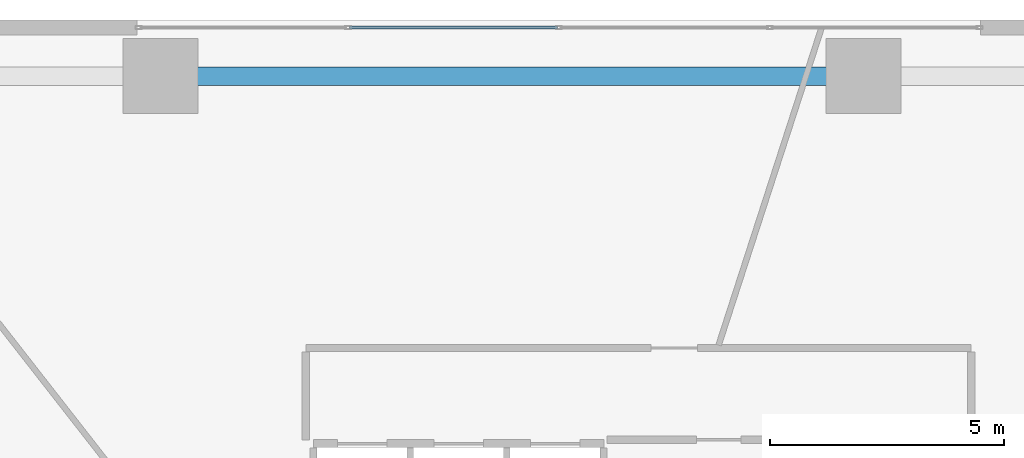
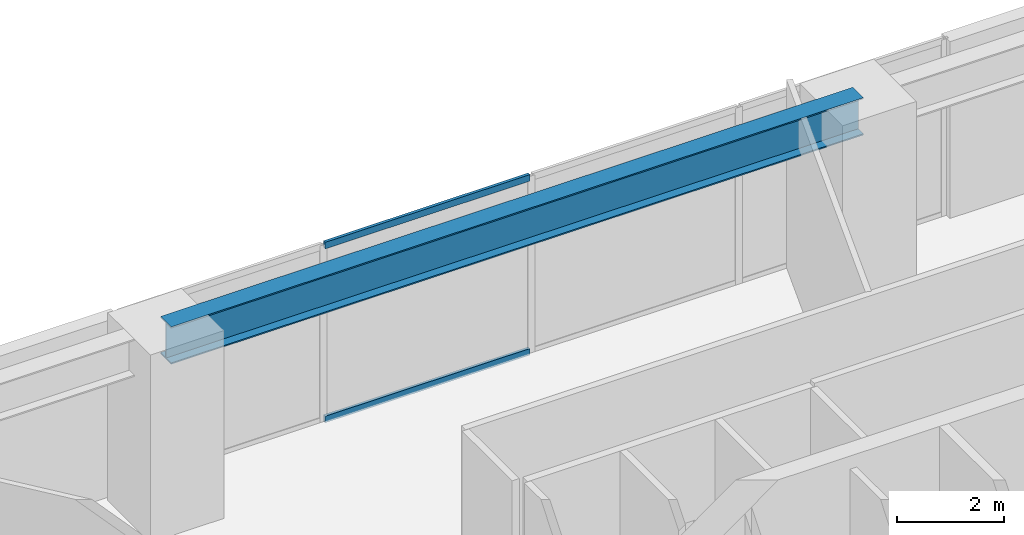
# One storey, part 12 of 25: 2 members, 1 beam, 1 element without a shape of its own.
"""IFC4 building model written with IfcOpenShell, lengths in metres."""

from ifc_helpers import new_model, si_unit, direction, frame, origin, origin_2d, place, context, subcontext, project, spatial, hollow_rectangle, i_section, extrude, source, transform, mapped, material, layer, layer_set, material_profile, profile_set, type_object, type_shapes, element, aggregate, save


model = new_model("IFC4")

# Units and contexts
model_context = context("Model", 3, precision=1e-05, world=origin(), true_north=direction((0.0, 1.0)))
body_context = subcontext(model_context, "Body", "Model", "MODEL_VIEW")
ifc_project = project(units=[si_unit("LENGTHUNIT", "METRE"), si_unit("AREAUNIT", "SQUARE_METRE"), si_unit("VOLUMEUNIT", "CUBIC_METRE"), si_unit("PLANEANGLEUNIT", "RADIAN"), si_unit("MASSUNIT", "GRAM", prefix="KILO")], contexts=[model_context])

# Site, building, storey
site_placement = place(None, origin())
site = spatial("IfcSite", under=ifc_project, at=site_placement, CompositionType="ELEMENT")
building_placement = place(site_placement, origin())
building = spatial("IfcBuilding", under=site, at=building_placement, Name="Talar Marvaseh", CompositionType="ELEMENT")
storey_placement = place(building_placement, frame((0.0, 0.0, 5.199951171875)))
storey = spatial("IfcBuildingStorey", under=building, at=storey_placement, Name="L01", CompositionType="ELEMENT", Elevation=5.199951171875)

# Beam
ifc_material_1 = material(Name="Steel S355", Category="steel")
ifc_material_profile_1 = material_profile(ifc_material_1, i_section(OverallWidth=0.39990234375, OverallDepth=0.85498046875, WebThickness=0.018310546875, FlangeThickness=0.029296875, at=origin_2d()), Name="W840x299")
ifc_profile_set_1 = profile_set([ifc_material_profile_1], Name="Steel S355")
beam_type = type_object("IfcBeamType", Name="Concourse Primary Girder W840x299", PredefinedType="BEAM", material=ifc_profile_set_1)
beam_placement = place(storey_placement, frame((18.5, 46.800048828125, 3.87255859375), z_axis=(1.0, 0.0, 0.0), x_axis=(0.0, 1.0, 0.0)))
element("IfcBeam", 1, at=beam_placement, inside=storey, type_object=beam_type, Name="L01 Concourse Primary Girder W840x299", PredefinedType="BEAM", context=body_context, shape_type="SweptSolid", body=[
    extrude(i_section(OverallWidth=0.39990234375, OverallDepth=0.85498046875, WebThickness=0.018310546875, FlangeThickness=0.029296875, at=origin_2d()), origin(), (0.0, 0.0, 1.0), 15.0),
])

# Curtain wall, members
ifc_material_2 = material(Name="Architectural Aluminium", Category="aluminium")
ifc_layer = layer(ifc_material_2, 0.25)
ifc_layer_set = layer_set([ifc_layer], Name="Architectural Aluminium")
curtain_wall_type = type_object("IfcCurtainWallType", Name="Station Podium Monumental Iwan Curtain Wall", PredefinedType="NOTDEFINED", material=ifc_layer_set)
curtain_wall_placement = place(storey_placement, origin())
curtain_wall = element("IfcCurtainWall", 2, at=curtain_wall_placement, inside=storey, type_object=curtain_wall_type, Name="L01 Station Podium Monumental Iwan Curtain Wall", PredefinedType="NOTDEFINED")
ifc_material_profile_2 = material_profile(ifc_material_2, hollow_rectangle(XDim=0.06494140625, YDim=0.14990234375, WallThickness=0.00390625, at=origin_2d()), Name="RHS150x65x4")
ifc_profile_set_2 = profile_set([ifc_material_profile_2], Name="Architectural Aluminium")
member_type = type_object("IfcMemberType", Name="Unitised Curtain Wall Slim Transom RHS150x65x4", PredefinedType="USERDEFINED", material=ifc_profile_set_2)
shared_shape = source(origin(), body_context, "Body", "SweptSolid", [
    extrude(hollow_rectangle(XDim=0.06494140625, YDim=0.14990234375, WallThickness=0.00390625, at=origin_2d()), origin(), (0.0, 0.0, 1.0), 4.43505859375),
])
type_shapes(member_type, [shared_shape])
member_1_placement = place(storey_placement, frame((22.532470703125, 47.840087890625, 0.032470703125), z_axis=(1.0, 0.0, 0.0), x_axis=(0.0, 1.0, 0.0)))
member_1 = element("IfcMember", 3, at=member_1_placement, type_object=member_type, Name="CW-POD transom 2.1", ObjectType="TRANSOM", PredefinedType="USERDEFINED", context=body_context, shape_type="MappedRepresentation", body=[
    mapped(shared_shape, transform((0.0, 0.0, 0.0), x_axis=(1.0, 0.0, 0.0), y_axis=(0.0, 1.0, 0.0), z_axis=(0.0, 0.0, 1.0), scale=1.0)),
])
member_2_placement = place(storey_placement, frame((22.532470703125, 47.840087890625, 4.017578125), z_axis=(1.0, 0.0, 0.0), x_axis=(0.0, 1.0, 0.0)))
member_2 = element("IfcMember", 4, at=member_2_placement, type_object=member_type, Name="CW-POD transom 2.2", ObjectType="TRANSOM", PredefinedType="USERDEFINED", context=body_context, shape_type="MappedRepresentation", body=[
    mapped(shared_shape, transform((0.0, 0.0, 0.0), x_axis=(1.0, 0.0, 0.0), y_axis=(0.0, 1.0, 0.0), z_axis=(0.0, 0.0, 1.0), scale=1.0)),
])
aggregate(curtain_wall, [member_1, member_2])

save(model, "model.ifc")
